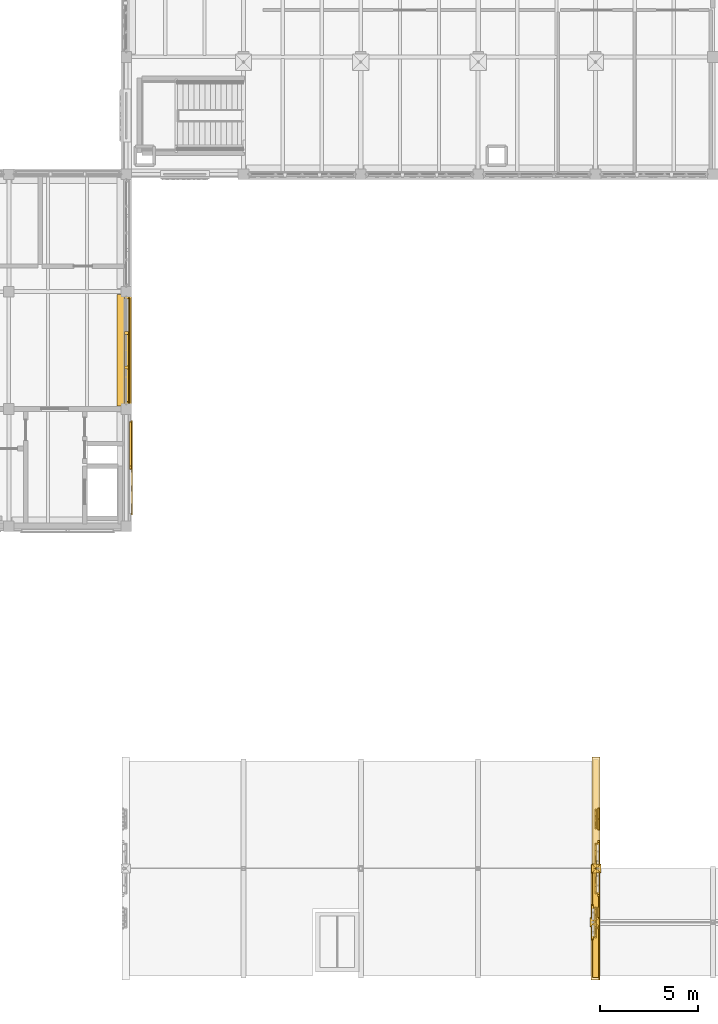
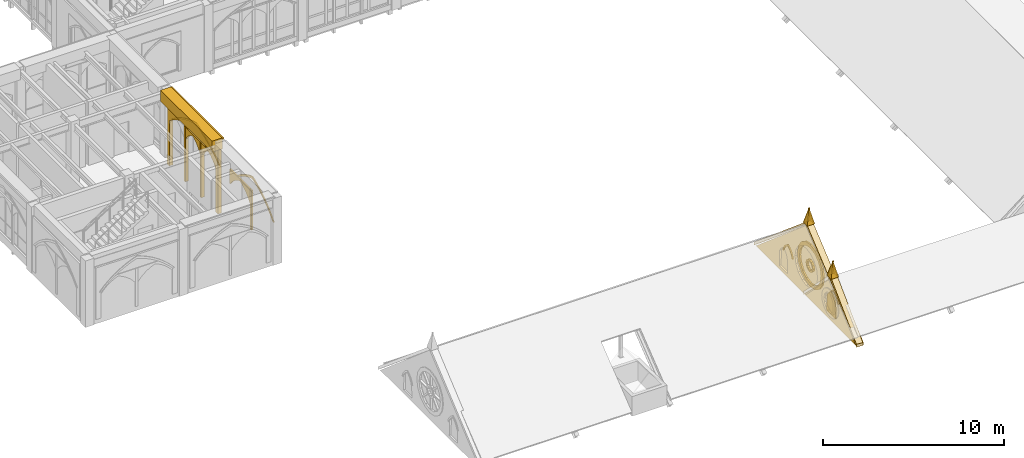
# One storey, part 87 of 108: 32 coverings.
"""IFC4 building model written with IfcOpenShell, lengths in metres."""

from ifc_helpers import new_model, si_unit, direction, frame, origin, origin_2d, place, context, subcontext, project, spatial, polyline, rectangle, outline, extrude, material, type_object, element, save


model = new_model("IFC4")

# Units and contexts
model_context = context("Model", 3, precision=1e-05, world=origin(), true_north=direction((0.0, 1.0)))
body_context = subcontext(model_context, "Body", "Model", "MODEL_VIEW")
ifc_project = project(units=[si_unit("LENGTHUNIT", "METRE"), si_unit("AREAUNIT", "SQUARE_METRE"), si_unit("VOLUMEUNIT", "CUBIC_METRE"), si_unit("PLANEANGLEUNIT", "RADIAN"), si_unit("MASSUNIT", "GRAM", prefix="KILO")], contexts=[model_context])

# Site, building, storey
site_placement = place(None, origin())
site = spatial("IfcSite", under=ifc_project, at=site_placement, CompositionType="ELEMENT")
building_placement = place(site_placement, origin())
building = spatial("IfcBuilding", under=site, at=building_placement, Name="Cumevento Cable Car Station", CompositionType="ELEMENT")
storey_placement = place(building_placement, frame((0.0, 0.0, 13.5)))
storey = spatial("IfcBuildingStorey", under=building, at=storey_placement, Name="L04", CompositionType="ELEMENT", Elevation=13.5)

# Coverings
ifc_material = material(Name="Gnaisse Facoidal Stone Ashlar 85 MPa", Category="masonry")
covering_type = type_object("IfcCoveringType", Name="Gnaisse Ashlar Cladding CV-CL01", PredefinedType="CLADDING", material=ifc_material)
covering_1_placement = place(storey_placement, frame((21.85009765625, 36.0, 3.821044921875), z_axis=(0.0, 0.0, 1.0), x_axis=(0.0, -1.0, 0.0)))
element("IfcCovering", 1, at=covering_1_placement, inside=storey, type_object=covering_type, Name="Gothic Stone Spandrel Stringcourse sc:0714", PredefinedType="CLADDING", context=body_context, shape_type="SweptSolid", body=[
    extrude(rectangle(XDim=5.68994140625, YDim=0.659912109375, at=origin_2d()), origin(), (0.0, 0.0, 1.0), 0.7470703125),
])
covering_2_placement = place(storey_placement, frame((22.20751953125, 36.0, 4.43798828125), z_axis=(0.0, 0.0, 1.0), x_axis=(0.0, -1.0, 0.0)))
element("IfcCovering", 2, at=covering_2_placement, inside=storey, type_object=covering_type, Name="Gothic Cornice Dripstone Lip sc:0714", PredefinedType="CLADDING", context=body_context, shape_type="SweptSolid", body=[
    extrude(rectangle(XDim=5.72998046875, YDim=0.114990234375, at=origin_2d()), origin(), (0.0, 0.0, 1.0), 0.1298828125),
])
placement_1 = place(storey_placement, frame((22.0, 38.72509765625, -0.52001953125), z_axis=(0.0, 0.0, 1.0), x_axis=(0.0, -1.0, 0.0)))
element("IfcCovering", 3, at=placement_1, inside=storey, type_object=covering_type, Name="Gothic Ogival Pointed-Arch Stone Spandrel cw_ogival:0152", PredefinedType="CLADDING", context=body_context, shape_type="SweptSolid", body=[
    extrude(outline(polyline([(-0.080078125, 0.0), (-0.080078125, 4.48095703125), (5.530029296875, 4.48095703125), (5.530029296875, 0.0), (5.2900390625, 0.0), (5.2900390625, 3.061279296875), (4.99951171875, 3.27001953125), (4.698974609375, 3.46337890625), (4.388671875, 3.64111328125), (4.06982421875, 3.802490234375), (3.7431640625, 3.947998046875), (3.40966796875, 4.075927734375), (3.06982421875, 4.1875), (2.72509765625, 4.281005859375), (2.380126953125, 4.1875), (2.040283203125, 4.075927734375), (1.706787109375, 3.947998046875), (1.380126953125, 3.802490234375), (1.061279296875, 3.64111328125), (0.7509765625, 3.46337890625), (0.450439453125, 3.27001953125), (0.159912109375, 3.061279296875), (0.159912109375, 0.0), (-0.080078125, 0.0)])), frame((0.0, 0.139892578125, 0.0), z_axis=(0.0, -1.0, 0.0), x_axis=(1.0, 0.0, 0.0)), (0.0, 0.0, 1.0), 0.219970703125),
])
covering_4_placement = place(storey_placement, frame((22.0, 38.72509765625, 2.54150390625), z_axis=(0.0, 0.0, 1.0), x_axis=(0.0, -1.0, 0.0)))
element("IfcCovering", 4, at=covering_4_placement, inside=storey, type_object=covering_type, Name="Gothic Pointed Archivolt Hood Moulding cw_ogival:0152", PredefinedType="CLADDING", context=body_context, shape_type="SweptSolid", body=[
    extrude(outline(polyline([(0.159912109375, 0.0), (0.450439453125, 0.20849609375), (0.7509765625, 0.40185546875), (1.061279296875, 0.57958984375), (1.380126953125, 0.7412109375), (1.706787109375, 0.886474609375), (2.040283203125, 1.0146484375), (2.380126953125, 1.1259765625), (2.72509765625, 1.219482421875), (3.06982421875, 1.1259765625), (3.40966796875, 1.0146484375), (3.7431640625, 0.886474609375), (4.06982421875, 0.7412109375), (4.388671875, 0.57958984375), (4.698974609375, 0.40185546875), (4.99951171875, 0.20849609375), (5.2900390625, 0.0), (5.39990234375, 0.0), (5.10107421875, 0.231201171875), (4.790283203125, 0.446044921875), (4.46826171875, 0.6435546875), (4.135986328125, 0.823486328125), (3.794677734375, 0.9853515625), (3.44482421875, 1.12841796875), (3.087890625, 1.25244140625), (2.72509765625, 1.357177734375), (2.362060546875, 1.25244140625), (2.005126953125, 1.12841796875), (1.6552734375, 0.9853515625), (1.31396484375, 0.823486328125), (0.981689453125, 0.6435546875), (0.65966796875, 0.446044921875), (0.348876953125, 0.231201171875), (0.050048828125, 0.0), (0.159912109375, 0.0)])), frame((0.0, 0.181884765625, 0.0), z_axis=(0.0, -1.0, 0.0), x_axis=(1.0, 0.0, 0.0)), (0.0, 0.0, 1.0), 0.06689453125),
])
element("IfcCovering", 5, at=placement_1, inside=storey, type_object=covering_type, Name="Gothic Bifora Stone Colonnette cw_ogival:0152 #1", PredefinedType="CLADDING", context=body_context, shape_type="SweptSolid", body=[
    extrude(outline(polyline([(1.77001953125, -0.02001953125), (1.919921875, -0.02001953125), (1.919921875, 3.695556640625), (1.77001953125, 3.695556640625), (1.77001953125, -0.02001953125)])), frame((0.0, 0.1279296875, 0.0), z_axis=(0.0, -1.0, 0.0), x_axis=(1.0, 0.0, 0.0)), (0.0, 0.0, 1.0), 0.205078125),
])
element("IfcCovering", 6, at=placement_1, inside=storey, type_object=covering_type, Name="Gothic Bifora Stone Colonnette cw_ogival:0152 #2", PredefinedType="CLADDING", context=body_context, shape_type="SweptSolid", body=[
    extrude(outline(polyline([(3.530029296875, -0.02001953125), (3.679931640625, -0.02001953125), (3.679931640625, 3.695556640625), (3.530029296875, 3.695556640625), (3.530029296875, -0.02001953125)])), frame((0.0, 0.1279296875, 0.0), z_axis=(0.0, -1.0, 0.0), x_axis=(1.0, 0.0, 0.0)), (0.0, 0.0, 1.0), 0.205078125),
])
for number, where, z_axis, x_axis, name in (
    (7, (22.0, 36.8349609375, 2.361328125), (0.0, 0.0, 1.0), (0.0, -1.0, 0.0), "Gothic Ogival Pointed-Arch Stone Spandrel cw_ogival:0152:sub:1"),
    (8, (22.0, 35.074951171875, 2.361328125), (0.0, 0.0, 1.0), (0.0, -1.0, 0.0), "Gothic Ogival Pointed-Arch Stone Spandrel cw_ogival:0152:sub:2"),
):
    element("IfcCovering", number, at=place(storey_placement, frame(where, z_axis=z_axis, x_axis=x_axis)), inside=storey, type_object=covering_type, Name=name, PredefinedType="CLADDING", context=body_context, shape_type="SweptSolid", body=[
        extrude(outline(polyline([(-0.02001953125, 0.0), (-0.02001953125, 0.814208984375), (1.68994140625, 0.814208984375), (1.68994140625, 0.0), (1.6298828125, 0.0), (1.5322265625, 0.14990234375), (1.41845703125, 0.288330078125), (1.290283203125, 0.413330078125), (1.149169921875, 0.5234375), (0.996826171875, 0.617431640625), (0.8349609375, 0.694091796875), (0.673095703125, 0.617431640625), (0.520751953125, 0.5234375), (0.379638671875, 0.413330078125), (0.25146484375, 0.288330078125), (0.1376953125, 0.14990234375), (0.0400390625, 0.0), (-0.02001953125, 0.0)])), frame((0.0, 0.1240234375, 0.0), z_axis=(0.0, -1.0, 0.0), x_axis=(1.0, 0.0, 0.0)), (0.0, 0.0, 1.0), 0.199951171875),
    ])
covering_7_placement = place(storey_placement, frame((22.0, 32.544921875, 2.17333984375), z_axis=(0.0, 0.0, 1.0), x_axis=(0.0, -1.0, 0.0)))
element("IfcCovering", 9, at=covering_7_placement, inside=storey, type_object=covering_type, Name="Gothic Pointed Archivolt Hood Moulding blind_ogival:0269", PredefinedType="CLADDING", context=body_context, shape_type="SweptSolid", body=[
    extrude(outline(polyline([(0.260009765625, 0.0), (0.53076171875, 0.291015625), (0.822998046875, 0.560302734375), (1.13525390625, 0.805908203125), (1.465576171875, 1.02685546875), (1.812255859375, 1.221435546875), (2.172607421875, 1.388671875), (2.544921875, 1.527587890625), (2.91748046875, 1.388671875), (3.27783203125, 1.221435546875), (3.62451171875, 1.02685546875), (3.954833984375, 0.805908203125), (4.26708984375, 0.560302734375), (4.559326171875, 0.291015625), (4.830078125, 0.0), (4.950927734375, 0.0), (4.670654296875, 0.31884765625), (4.36572265625, 0.6142578125), (4.0380859375, 0.884033203125), (3.68994140625, 1.127197265625), (3.323486328125, 1.34130859375), (2.941162109375, 1.525634765625), (2.544921875, 1.678955078125), (2.14892578125, 1.525634765625), (1.7666015625, 1.34130859375), (1.400146484375, 1.127197265625), (1.052001953125, 0.884033203125), (0.724365234375, 0.6142578125), (0.41943359375, 0.31884765625), (0.138916015625, 0.0), (0.260009765625, 0.0)])), frame((0.0, 0.319580078125, 0.0), z_axis=(0.0, -1.0, 0.0), x_axis=(1.0, 0.0, 0.0)), (0.0, 0.0, 1.0), 0.06689453125),
])
covering_8_placement = place(storey_placement, frame((22.0, 32.544921875, 0.300048828125), z_axis=(0.0, 0.0, 1.0), x_axis=(0.0, -1.0, 0.0)))
element("IfcCovering", 10, at=covering_8_placement, inside=storey, type_object=covering_type, Name="Gothic Bifora Stone Colonnette blind_ogival:0269 #1", PredefinedType="CLADDING", context=body_context, shape_type="SweptSolid", body=[
    extrude(outline(polyline([(2.469970703125, -0.02001953125), (2.6201171875, -0.02001953125), (2.6201171875, 2.667724609375), (2.469970703125, 2.667724609375), (2.469970703125, -0.02001953125)])), frame((0.0, 0.265380859375, 0.0), z_axis=(0.0, -1.0, 0.0), x_axis=(1.0, 0.0, 0.0)), (0.0, 0.0, 1.0), 0.094970703125),
])
covering_9_placement = place(storey_placement, frame((22.0, 32.31494140625, 1.993408203125), z_axis=(0.0, 0.0, 1.0), x_axis=(0.0, -1.0, 0.0)))
element("IfcCovering", 11, at=covering_9_placement, inside=storey, type_object=covering_type, Name="Gothic Ogival Pointed-Arch Stone Spandrel blind_ogival:0269:sub:0", PredefinedType="CLADDING", context=body_context, shape_type="SweptSolid", body=[
    extrude(outline(polyline([(-0.02001953125, 0.0), (-0.02001953125, 0.974365234375), (2.2900390625, 0.974365234375), (2.2900390625, 0.0), (2.22998046875, 0.0), (2.0869140625, 0.1865234375), (1.92578125, 0.357421875), (1.748046875, 0.51123046875), (1.5556640625, 0.646240234375), (1.3505859375, 0.760986328125), (1.135009765625, 0.8544921875), (0.91943359375, 0.760986328125), (0.71435546875, 0.646240234375), (0.52197265625, 0.51123046875), (0.34423828125, 0.357421875), (0.18310546875, 0.1865234375), (0.0400390625, 0.0), (-0.02001953125, 0.0)])), frame((0.0, 0.261474609375, 0.0), z_axis=(0.0, -1.0, 0.0), x_axis=(1.0, 0.0, 0.0)), (0.0, 0.0, 1.0), 0.090087890625),
])
placement_2 = place(storey_placement, frame((46.0, 15.0, 0.0), z_axis=(0.0, 0.0, 1.0), x_axis=(0.0, -1.0, 0.0)))
element("IfcCovering", 12, at=placement_2, inside=storey, type_object=covering_type, Name="Gothic Stone Gable Tympanum wing_B_V1a_E", PredefinedType="CLADDING", context=body_context, shape_type="SweptSolid", body=[
    extrude(outline(polyline([(-0.080078125, -0.06005859375), (11.080078125, -0.06005859375), (5.5, 4.7099609375), (-0.080078125, -0.06005859375)]), holes=[polyline([(6.75, 1.898193359375), (6.655029296875, 2.376708984375), (6.384033203125, 2.7822265625), (5.978271484375, 3.05322265625), (5.5, 3.1484375), (5.021728515625, 3.05322265625), (4.615966796875, 2.7822265625), (4.344970703125, 2.376708984375), (4.25, 1.898193359375), (4.344970703125, 1.419921875), (4.615966796875, 1.014404296875), (5.021728515625, 0.743408203125), (5.5, 0.648193359375), (5.978271484375, 0.743408203125), (6.384033203125, 1.014404296875), (6.655029296875, 1.419921875), (6.75, 1.898193359375)]), polyline([(2.50244140625, 0.179931640625), (3.4375, 0.179931640625), (3.38330078125, 1.2431640625), (3.307373046875, 1.373291015625), (3.21142578125, 1.4892578125), (3.097900390625, 1.58837890625), (2.969970703125, 1.66796875), (2.842041015625, 1.58837890625), (2.728515625, 1.4892578125), (2.632568359375, 1.373291015625), (2.556640625, 1.2431640625), (2.50244140625, 0.179931640625)]), polyline([(7.5625, 0.179931640625), (8.49755859375, 0.179931640625), (8.443603515625, 1.2431640625), (8.367431640625, 1.373291015625), (8.271484375, 1.4892578125), (8.157958984375, 1.58837890625), (8.030029296875, 1.66796875), (7.902099609375, 1.58837890625), (7.78857421875, 1.4892578125), (7.692626953125, 1.373291015625), (7.616455078125, 1.2431640625), (7.5625, 0.179931640625)])]), frame((0.0, 0.159912109375, 0.0), z_axis=(0.0, -1.0, 0.0), x_axis=(1.0, 0.0, 0.0)), (0.0, 0.0, 1.0), 0.300048828125),
])
element("IfcCovering", 13, at=placement_2, inside=storey, type_object=covering_type, Name="Gothic Gable Recessed Tracery Backing wing_B_V1a_E rose", PredefinedType="CLADDING", context=body_context, shape_type="SweptSolid", body=[
    extrude(outline(polyline([(6.7900390625, 1.898193359375), (6.69189453125, 2.39208984375), (6.412353515625, 2.810546875), (5.99365234375, 3.090087890625), (5.5, 3.1884765625), (5.00634765625, 3.090087890625), (4.587646484375, 2.810546875), (4.30810546875, 2.39208984375), (4.2099609375, 1.898193359375), (4.30810546875, 1.404541015625), (4.587646484375, 0.986083984375), (5.00634765625, 0.706298828125), (5.5, 0.608154296875), (5.99365234375, 0.706298828125), (6.412353515625, 0.986083984375), (6.69189453125, 1.404541015625), (6.7900390625, 1.898193359375)])), frame((0.0, 0.050048828125, 0.0), z_axis=(0.0, -1.0, 0.0), x_axis=(1.0, 0.0, 0.0)), (0.0, 0.0, 1.0), 0.074951171875),
])
element("IfcCovering", 14, at=placement_2, inside=storey, type_object=covering_type, Name="Gothic Gable Recessed Tracery Backing wing_B_V1a_E lancet_0", PredefinedType="CLADDING", context=body_context, shape_type="SweptSolid", body=[
    extrude(outline(polyline([(2.472412109375, 0.14990234375), (3.467529296875, 0.14990234375), (3.407958984375, 1.249267578125), (3.326171875, 1.384033203125), (3.22412109375, 1.50390625), (3.1044921875, 1.60595703125), (2.969970703125, 1.68798828125), (2.83544921875, 1.60595703125), (2.7158203125, 1.50390625), (2.61376953125, 1.384033203125), (2.531982421875, 1.249267578125), (2.472412109375, 0.14990234375)])), frame((0.0, 0.050048828125, 0.0), z_axis=(0.0, -1.0, 0.0), x_axis=(1.0, 0.0, 0.0)), (0.0, 0.0, 1.0), 0.074951171875),
])
element("IfcCovering", 15, at=placement_2, inside=storey, type_object=covering_type, Name="Gothic Gable Recessed Tracery Backing wing_B_V1a_E lancet_1", PredefinedType="CLADDING", context=body_context, shape_type="SweptSolid", body=[
    extrude(outline(polyline([(7.532470703125, 0.14990234375), (8.527587890625, 0.14990234375), (8.46826171875, 1.249267578125), (8.386474609375, 1.384033203125), (8.284423828125, 1.50390625), (8.16455078125, 1.60595703125), (8.030029296875, 1.68798828125), (7.8955078125, 1.60595703125), (7.775634765625, 1.50390625), (7.673583984375, 1.384033203125), (7.591796875, 1.249267578125), (7.532470703125, 0.14990234375)])), frame((0.0, 0.050048828125, 0.0), z_axis=(0.0, -1.0, 0.0), x_axis=(1.0, 0.0, 0.0)), (0.0, 0.0, 1.0), 0.074951171875),
])
element("IfcCovering", 16, at=placement_2, inside=storey, type_object=covering_type, Name="Gothic 16-Sided Stone Rose Window Ring wing_B_V1a_E", PredefinedType="CLADDING", context=body_context, shape_type="SweptSolid", body=[
    extrude(outline(polyline([(6.93017578125, 1.898193359375), (6.8212890625, 2.445556640625), (6.51123046875, 2.909423828125), (6.04736328125, 3.219482421875), (5.5, 3.328369140625), (4.95263671875, 3.219482421875), (4.48876953125, 2.909423828125), (4.1787109375, 2.445556640625), (4.06982421875, 1.898193359375), (4.1787109375, 1.35107421875), (4.48876953125, 0.886962890625), (4.95263671875, 0.5771484375), (5.5, 0.46826171875), (6.04736328125, 0.5771484375), (6.51123046875, 0.886962890625), (6.8212890625, 1.35107421875), (6.93017578125, 1.898193359375)]), holes=[polyline([(6.68017578125, 1.898193359375), (6.59033203125, 2.349853515625), (6.33447265625, 2.732666015625), (5.95166015625, 2.988525390625), (5.5, 3.078369140625), (5.04833984375, 2.988525390625), (4.66552734375, 2.732666015625), (4.40966796875, 2.349853515625), (4.31982421875, 1.898193359375), (4.40966796875, 1.44677734375), (4.66552734375, 1.06396484375), (5.04833984375, 0.80810546875), (5.5, 0.71826171875), (5.95166015625, 0.80810546875), (6.33447265625, 1.06396484375), (6.59033203125, 1.44677734375), (6.68017578125, 1.898193359375)])]), frame((0.0, 0.215087890625, 0.0), z_axis=(0.0, -1.0, 0.0), x_axis=(1.0, 0.0, 0.0)), (0.0, 0.0, 1.0), 0.110107421875),
])
element("IfcCovering", 17, at=placement_2, inside=storey, type_object=covering_type, Name="Gothic Rose Central Stone Oculus Hub wing_B_V1a_E", PredefinedType="CLADDING", context=body_context, shape_type="SweptSolid", body=[
    extrude(outline(polyline([(5.905029296875, 1.898193359375), (5.850830078125, 2.100830078125), (5.702392578125, 2.2490234375), (5.5, 2.30322265625), (5.297607421875, 2.2490234375), (5.149169921875, 2.100830078125), (5.094970703125, 1.898193359375), (5.149169921875, 1.69580078125), (5.297607421875, 1.547607421875), (5.5, 1.493408203125), (5.702392578125, 1.547607421875), (5.850830078125, 1.69580078125), (5.905029296875, 1.898193359375)]), holes=[polyline([(5.784912109375, 1.898193359375), (5.746826171875, 2.040771484375), (5.642578125, 2.14501953125), (5.5, 2.183349609375), (5.357421875, 2.14501953125), (5.253173828125, 2.040771484375), (5.215087890625, 1.898193359375), (5.253173828125, 1.755859375), (5.357421875, 1.6513671875), (5.5, 1.61328125), (5.642578125, 1.6513671875), (5.746826171875, 1.755859375), (5.784912109375, 1.898193359375)])]), frame((0.0, 0.18994140625, 0.0), z_axis=(0.0, -1.0, 0.0), x_axis=(1.0, 0.0, 0.0)), (0.0, 0.0, 1.0), 0.139892578125),
])
element("IfcCovering", 18, at=placement_2, inside=storey, type_object=covering_type, Name="Gable Lancet Stone Hood Moulding wing_B_V1a_E #1", PredefinedType="CLADDING", context=body_context, shape_type="SweptSolid", body=[
    extrude(outline(polyline([(2.50244140625, 1.1025390625), (2.556640625, 1.2431640625), (2.632568359375, 1.373291015625), (2.728515625, 1.4892578125), (2.842041015625, 1.58837890625), (2.969970703125, 1.66796875), (3.097900390625, 1.58837890625), (3.21142578125, 1.4892578125), (3.307373046875, 1.373291015625), (3.38330078125, 1.2431640625), (3.4375, 1.1025390625), (3.527587890625, 1.1025390625), (3.464111328125, 1.272705078125), (3.3740234375, 1.43017578125), (3.259521484375, 1.571044921875), (3.12353515625, 1.69140625), (2.969970703125, 1.787841796875), (2.81640625, 1.69140625), (2.680419921875, 1.571044921875), (2.56591796875, 1.43017578125), (2.475830078125, 1.272705078125), (2.41259765625, 1.1025390625), (2.50244140625, 1.1025390625)])), frame((0.0, 0.205078125, 0.0), z_axis=(0.0, -1.0, 0.0), x_axis=(1.0, 0.0, 0.0)), (0.0, 0.0, 1.0), 0.090087890625),
])
element("IfcCovering", 19, at=placement_2, inside=storey, type_object=covering_type, Name="Gable Lancet Stone Hood Moulding wing_B_V1a_E #2", PredefinedType="CLADDING", context=body_context, shape_type="SweptSolid", body=[
    extrude(outline(polyline([(7.5625, 1.1025390625), (7.616455078125, 1.2431640625), (7.692626953125, 1.373291015625), (7.78857421875, 1.4892578125), (7.902099609375, 1.58837890625), (8.030029296875, 1.66796875), (8.157958984375, 1.58837890625), (8.271484375, 1.4892578125), (8.367431640625, 1.373291015625), (8.443603515625, 1.2431640625), (8.49755859375, 1.1025390625), (8.58740234375, 1.1025390625), (8.524169921875, 1.272705078125), (8.43408203125, 1.43017578125), (8.319580078125, 1.571044921875), (8.183837890625, 1.69140625), (8.030029296875, 1.787841796875), (7.876220703125, 1.69140625), (7.740478515625, 1.571044921875), (7.6259765625, 1.43017578125), (7.535888671875, 1.272705078125), (7.472412109375, 1.1025390625), (7.5625, 1.1025390625)])), frame((0.0, 0.205078125, 0.0), z_axis=(0.0, -1.0, 0.0), x_axis=(1.0, 0.0, 0.0)), (0.0, 0.0, 1.0), 0.090087890625),
])
element("IfcCovering", 20, at=placement_2, inside=storey, type_object=covering_type, Name="Raking Gothic Stone Gable Coping wing_B_V1a_E", PredefinedType="CLADDING", context=body_context, shape_type="SweptSolid", body=[
    extrude(outline(polyline([(-0.199951171875, -0.06005859375), (5.5, 4.7099609375), (11.199951171875, -0.06005859375), (11.199951171875, 0.139892578125), (5.5, 4.949951171875), (-0.199951171875, 0.139892578125), (-0.199951171875, -0.06005859375)])), frame((0.0, 0.219970703125, 0.0), z_axis=(0.0, -1.0, 0.0), x_axis=(1.0, 0.0, 0.0)), (0.0, 0.0, 1.0), 0.39990234375),
])
for number, where, z_axis, x_axis, name in (
    (21, (45.7900390625, 9.739990234375, 4.81005859375), (-0.97486272659, 0.0, 0.222806338116), (0.0, -1.0, 0.0), "Gothic Gable Finial Spire Facet 1 wing_B_V1a_E"),
    (22, (45.7900390625, 9.260009765625, 4.81005859375), (0.0, -0.97486272659, 0.222806338116), (1.0, 0.0, 0.0), "Gothic Gable Finial Spire Facet 2 wing_B_V1a_E"),
    (23, (46.27001953125, 9.260009765625, 4.81005859375), (0.97486272659, 0.0, 0.222806338116), (0.0, 1.0, 0.0), "Gothic Gable Finial Spire Facet 3 wing_B_V1a_E"),
    (24, (46.27001953125, 9.739990234375, 4.81005859375), (0.0, 0.97486272659, 0.222806338116), (-1.0, 0.0, 0.0), "Gothic Gable Finial Spire Facet 4 wing_B_V1a_E"),
):
    element("IfcCovering", number, at=place(storey_placement, frame(where, z_axis=z_axis, x_axis=x_axis)), inside=storey, type_object=covering_type, Name=name, PredefinedType="CLADDING", context=body_context, shape_type="SweptSolid", body=[
        extrude(outline(polyline([(0.0, 0.0), (0.47998046875, 0.0), (0.239990234375, 1.0771248089437238), (0.0, 0.0)])), origin(), (0.0, 0.0, -1.0), 0.06494140625),
    ])
placement_3 = place(storey_placement, frame((46.0, 4.0, 0.0), z_axis=(0.0, 0.0, 1.0), x_axis=(0.0, 1.0, 0.0)))
element("IfcCovering", 25, at=placement_3, inside=storey, type_object=covering_type, Name="Gothic Stone Gable Tympanum wing_B_V1b_W", PredefinedType="CLADDING", context=body_context, shape_type="SweptSolid", body=[
    extrude(outline(polyline([(-0.080078125, -0.06005859375), (5.580078125, -0.06005859375), (2.75, 2.81005859375), (-0.080078125, -0.06005859375)]), holes=[polyline([(3.487060546875, 1.119384765625), (3.430908203125, 1.4013671875), (3.271240234375, 1.640625), (3.031982421875, 1.80029296875), (2.75, 1.8564453125), (2.468017578125, 1.80029296875), (2.228759765625, 1.640625), (2.069091796875, 1.4013671875), (2.012939453125, 1.119384765625), (2.069091796875, 0.837158203125), (2.228759765625, 0.59814453125), (2.468017578125, 0.438232421875), (2.75, 0.382080078125), (3.031982421875, 0.438232421875), (3.271240234375, 0.59814453125), (3.430908203125, 0.837158203125), (3.487060546875, 1.119384765625)])]), frame((0.0, 0.159912109375, 0.0), z_axis=(0.0, -1.0, 0.0), x_axis=(1.0, 0.0, 0.0)), (0.0, 0.0, 1.0), 0.300048828125),
])
element("IfcCovering", 26, at=placement_3, inside=storey, type_object=covering_type, Name="Gothic Gable Recessed Tracery Backing wing_B_V1b_W rose", PredefinedType="CLADDING", context=body_context, shape_type="SweptSolid", body=[
    extrude(outline(polyline([(3.527099609375, 1.119384765625), (3.468017578125, 1.416748046875), (3.299560546875, 1.668701171875), (3.04736328125, 1.837158203125), (2.75, 1.896484375), (2.45263671875, 1.837158203125), (2.200439453125, 1.668701171875), (2.031982421875, 1.416748046875), (1.972900390625, 1.119384765625), (2.031982421875, 0.822021484375), (2.200439453125, 0.56982421875), (2.45263671875, 0.4013671875), (2.75, 0.34228515625), (3.04736328125, 0.4013671875), (3.299560546875, 0.56982421875), (3.468017578125, 0.822021484375), (3.527099609375, 1.119384765625)])), frame((0.0, 0.050048828125, 0.0), z_axis=(0.0, -1.0, 0.0), x_axis=(1.0, 0.0, 0.0)), (0.0, 0.0, 1.0), 0.074951171875),
])
element("IfcCovering", 27, at=placement_3, inside=storey, type_object=covering_type, Name="Gothic 16-Sided Stone Rose Window Ring wing_B_V1b_W", PredefinedType="CLADDING", context=body_context, shape_type="SweptSolid", body=[
    extrude(outline(polyline([(3.6669921875, 1.119384765625), (3.59716796875, 1.47021484375), (3.3984375, 1.767822265625), (3.10107421875, 1.966552734375), (2.75, 2.036376953125), (2.39892578125, 1.966552734375), (2.1015625, 1.767822265625), (1.90283203125, 1.47021484375), (1.8330078125, 1.119384765625), (1.90283203125, 0.768310546875), (2.1015625, 0.470703125), (2.39892578125, 0.27197265625), (2.75, 0.2021484375), (3.10107421875, 0.27197265625), (3.3984375, 0.470703125), (3.59716796875, 0.768310546875), (3.6669921875, 1.119384765625)]), holes=[polyline([(3.4169921875, 1.119384765625), (3.3662109375, 1.37451171875), (3.2216796875, 1.591064453125), (3.00537109375, 1.735595703125), (2.75, 1.786376953125), (2.49462890625, 1.735595703125), (2.2783203125, 1.591064453125), (2.1337890625, 1.37451171875), (2.0830078125, 1.119384765625), (2.1337890625, 0.864013671875), (2.2783203125, 0.647705078125), (2.49462890625, 0.5029296875), (2.75, 0.4521484375), (3.00537109375, 0.5029296875), (3.2216796875, 0.647705078125), (3.3662109375, 0.864013671875), (3.4169921875, 1.119384765625)])]), frame((0.0, 0.215087890625, 0.0), z_axis=(0.0, -1.0, 0.0), x_axis=(1.0, 0.0, 0.0)), (0.0, 0.0, 1.0), 0.110107421875),
])
element("IfcCovering", 28, at=placement_3, inside=storey, type_object=covering_type, Name="Raking Gothic Stone Gable Coping wing_B_V1b_W", PredefinedType="CLADDING", context=body_context, shape_type="SweptSolid", body=[
    extrude(outline(polyline([(-0.199951171875, -0.06005859375), (2.75, 2.81005859375), (5.699951171875, -0.06005859375), (5.699951171875, 0.139892578125), (2.75, 3.050048828125), (-0.199951171875, 0.139892578125), (-0.199951171875, -0.06005859375)])), frame((0.0, 0.219970703125, 0.0), z_axis=(0.0, -1.0, 0.0), x_axis=(1.0, 0.0, 0.0)), (0.0, 0.0, 1.0), 0.39990234375),
])
for number, where, z_axis, x_axis, name in (
    (29, (46.2099609375, 6.510009765625, 2.909912109375), (0.97486272659, 0.0, 0.222806338116), (0.0, 1.0, 0.0), "Gothic Gable Finial Spire Facet 1 wing_B_V1b_W"),
    (30, (46.2099609375, 6.989990234375, 2.909912109375), (0.0, 0.97486272659, 0.222806338116), (-1.0, 0.0, 0.0), "Gothic Gable Finial Spire Facet 2 wing_B_V1b_W"),
    (31, (45.72998046875, 6.989990234375, 2.909912109375), (-0.97486272659, 0.0, 0.222806338116), (0.0, -1.0, 0.0), "Gothic Gable Finial Spire Facet 3 wing_B_V1b_W"),
    (32, (45.72998046875, 6.510009765625, 2.909912109375), (0.0, -0.97486272659, 0.222806338116), (1.0, 0.0, 0.0), "Gothic Gable Finial Spire Facet 4 wing_B_V1b_W"),
):
    element("IfcCovering", number, at=place(storey_placement, frame(where, z_axis=z_axis, x_axis=x_axis)), inside=storey, type_object=covering_type, Name=name, PredefinedType="CLADDING", context=body_context, shape_type="SweptSolid", body=[
        extrude(outline(polyline([(0.0, 0.0), (0.47998046875, 0.0), (0.239990234375, 1.0771248089437238), (0.0, 0.0)])), origin(), (0.0, 0.0, -1.0), 0.06494140625),
    ])

save(model, "model.ifc")
